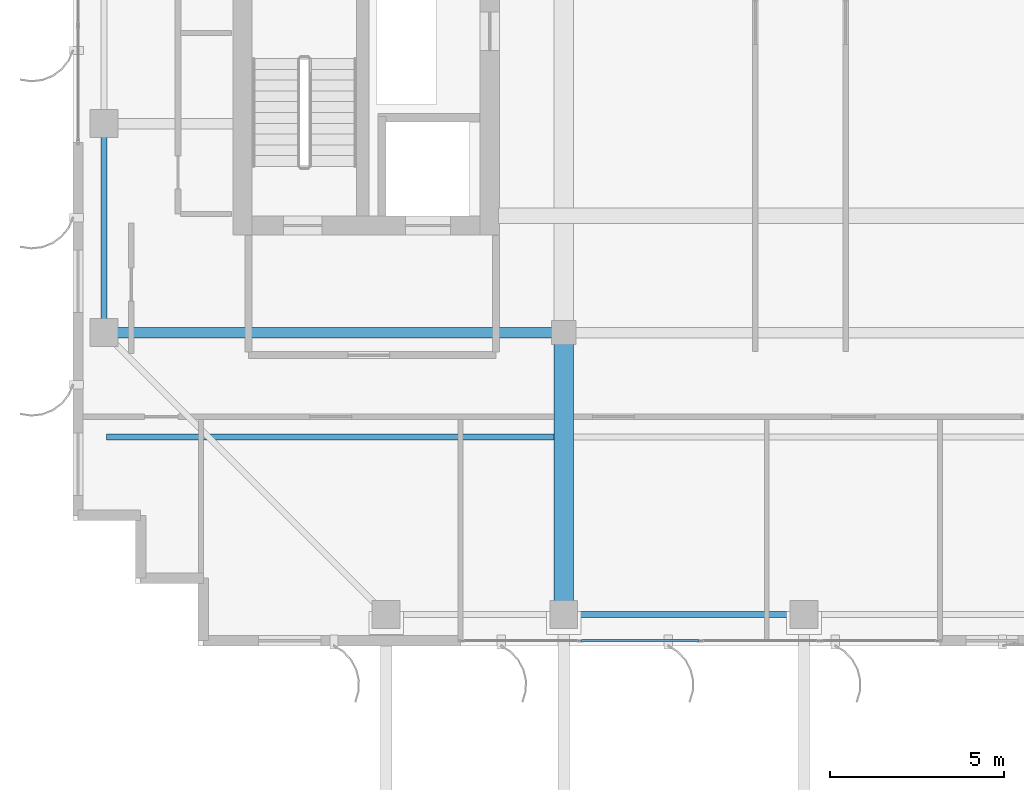
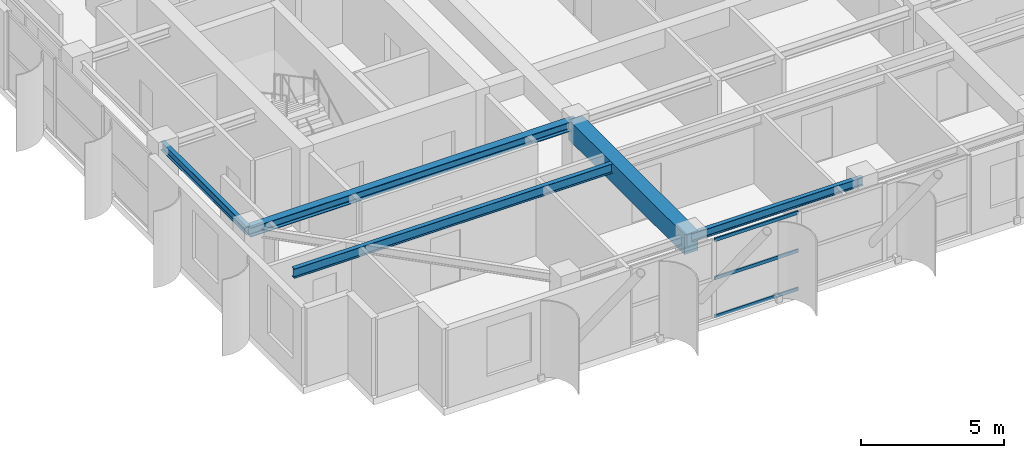
# One storey, part 3 of 22: 5 beams, 3 members, 1 element without a shape of its own.
"""IFC4 building model written with IfcOpenShell, lengths in metres."""

from ifc_helpers import new_model, si_unit, direction, frame, origin, origin_2d, place, context, subcontext, project, spatial, rectangle, hollow_rectangle, i_section, extrude, source, transform, mapped, material, layer, layer_set, material_profile, profile_set, type_object, element, aggregate, save


model = new_model("IFC4")

# Units and contexts
model_context = context("Model", 3, precision=1e-05, world=origin(), true_north=direction((0.0, 1.0)))
body_context = subcontext(model_context, "Body", "Model", "MODEL_VIEW")
ifc_project = project(units=[si_unit("LENGTHUNIT", "METRE"), si_unit("AREAUNIT", "SQUARE_METRE"), si_unit("VOLUMEUNIT", "CUBIC_METRE"), si_unit("PLANEANGLEUNIT", "RADIAN"), si_unit("MASSUNIT", "GRAM", prefix="KILO")], contexts=[model_context])

# Site, building, storey
site_placement = place(None, origin())
site = spatial("IfcSite", under=ifc_project, at=site_placement, CompositionType="ELEMENT")
building_placement = place(site_placement, origin())
building = spatial("IfcBuilding", under=site, at=building_placement, Name="Khoralis Quay Care Tower", CompositionType="ELEMENT")
storey_placement = place(building_placement, frame((0.0, 0.0, 278.10009765625)))
storey = spatial("IfcBuildingStorey", under=building, at=storey_placement, Name="L73", CompositionType="ELEMENT", Elevation=278.10009765625)

# Beams
ifc_material_1 = material(Name="Steel S355", Category="steel")
ifc_material_profile_1 = material_profile(ifc_material_1, i_section(OverallWidth=0.169921875, OverallDepth=0.360107421875, WebThickness=0.008056640625, FlangeThickness=0.0126953125, FilletRadius=0.01806640625, at=origin_2d()), Name="Steel S355")
ifc_profile_set_1 = profile_set([ifc_material_profile_1], Name="Steel S355")
beam_type_1 = type_object("IfcBeamType", Name="BM-IPE360", PredefinedType="SPANDREL", material=ifc_profile_set_1)
shared_shape_1 = source(origin(), body_context, "Body", "SweptSolid", [
    extrude(i_section(OverallWidth=0.169921875, OverallDepth=0.360107421875, WebThickness=0.008056640625, FlangeThickness=0.0126953125, FilletRadius=0.01806640625, at=origin_2d()), origin(), (0.0, 0.0, 1.0), 6.0),
])
beam_1_placement = place(storey_placement, frame((3.89990234375, 12.0, 3.139892578125), z_axis=(0.0, 1.0, 0.0), x_axis=(-1.0, 0.0, 0.0)))
element("IfcBeam", 1, at=beam_1_placement, inside=storey, type_object=beam_type_1, Name="BM-TSP-L73-09", PredefinedType="SPANDREL", context=body_context, shape_type="MappedRepresentation", body=[
    mapped(shared_shape_1, transform((0.0, 0.0, 0.0), scale=1.0)),
])
ifc_material_profile_2 = material_profile(ifc_material_1, i_section(OverallWidth=0.300048828125, OverallDepth=0.39990234375, WebThickness=0.013427734375, FlangeThickness=0.02392578125, FilletRadius=0.027099609375, at=origin_2d()), Name="Steel S355")
ifc_profile_set_2 = profile_set([ifc_material_profile_2], Name="Steel S355")
beam_type_2 = type_object("IfcBeamType", Name="BM-HEB400", PredefinedType="BEAM", material=ifc_profile_set_2)
shared_shape_2 = source(origin(), body_context, "Body", "SweptSolid", [
    extrude(i_section(OverallWidth=0.300048828125, OverallDepth=0.39990234375, WebThickness=0.013427734375, FlangeThickness=0.02392578125, FilletRadius=0.027099609375, at=origin_2d()), origin(), (0.0, 0.0, 1.0), 13.2001953125),
])
beam_2_placement = place(storey_placement, frame((3.89990234375, 12.0, 3.119873046875), z_axis=(1.0, 0.0, 0.0), x_axis=(0.0, 1.0, 0.0)))
element("IfcBeam", 2, at=beam_2_placement, inside=storey, type_object=beam_type_2, Name="BM-TGXW-L73-120", PredefinedType="BEAM", context=body_context, shape_type="MappedRepresentation", body=[
    mapped(shared_shape_2, transform((0.0, 0.0, 0.0), scale=1.0)),
])
ifc_material_2 = material(Name="Concrete C50/60", Category="concrete")
ifc_material_profile_3 = material_profile(ifc_material_2, rectangle(XDim=0.550048828125, YDim=0.85009765625, at=origin_2d()), Name="Concrete C50/60")
ifc_profile_set_3 = profile_set([ifc_material_profile_3], Name="Concrete C50/60")
beam_type_3 = type_object("IfcBeamType", Name="BM-RC550X850", PredefinedType="BEAM", material=ifc_profile_set_3)
shared_shape_3 = source(origin(), body_context, "Body", "SweptSolid", [
    extrude(rectangle(XDim=0.550048828125, YDim=0.85009765625, at=origin_2d()), origin(), (0.0, 0.0, 1.0), 8.10009765625),
])
beam_3_placement = place(storey_placement, frame((17.10009765625, 3.89990234375, 2.89501953125), z_axis=(0.0, 1.0, 0.0), x_axis=(-1.0, 0.0, 0.0)))
element("IfcBeam", 3, at=beam_3_placement, inside=storey, type_object=beam_type_3, Name="BM-TGYS-L73-171", PredefinedType="BEAM", context=body_context, shape_type="MappedRepresentation", body=[
    mapped(shared_shape_3, transform((0.0, 0.0, 0.0), scale=1.0)),
])
ifc_material_profile_4 = material_profile(ifc_material_1, i_section(OverallWidth=0.177978515625, OverallDepth=0.406982421875, WebThickness=0.0078125, FlangeThickness=0.0126953125, FilletRadius=0.012939453125, at=origin_2d()), Name="Steel S355")
ifc_profile_set_4 = profile_set([ifc_material_profile_4], Name="Steel S355")
beam_type_4 = type_object("IfcBeamType", Name="BM-W410X60", PredefinedType="JOIST", material=ifc_profile_set_4)
shared_shape_4 = source(origin(), body_context, "Body", "SweptSolid", [
    extrude(i_section(OverallWidth=0.177978515625, OverallDepth=0.406982421875, WebThickness=0.0078125, FlangeThickness=0.0126953125, FilletRadius=0.012939453125, at=origin_2d()), origin(), (0.0, 0.0, 1.0), 12.865966796875),
])
beam_4_placement = place(storey_placement, frame((3.970947265625, 9.0, 3.116455078125), z_axis=(1.0, 0.0, 0.0), x_axis=(0.0, 1.0, 0.0)))
element("IfcBeam", 4, at=beam_4_placement, inside=storey, type_object=beam_type_4, Name="BM-TJS-L73-21", PredefinedType="JOIST", context=body_context, shape_type="MappedRepresentation", body=[
    mapped(shared_shape_4, transform((0.0, 0.0, 0.0), scale=1.0)),
])
shared_shape_5 = source(origin(), body_context, "Body", "SweptSolid", [
    extrude(i_section(OverallWidth=0.169921875, OverallDepth=0.360107421875, WebThickness=0.008056640625, FlangeThickness=0.0126953125, FilletRadius=0.01806640625, at=origin_2d()), origin(), (0.0, 0.0, 1.0), 6.89990234375),
])
beam_5_placement = place(storey_placement, frame((17.10009765625, 3.89990234375, 3.139892578125), z_axis=(1.0, 0.0, 0.0), x_axis=(0.0, 1.0, 0.0)))
element("IfcBeam", 5, at=beam_5_placement, inside=storey, type_object=beam_type_1, Name="BM-TSP-L73-02", PredefinedType="SPANDREL", context=body_context, shape_type="MappedRepresentation", body=[
    mapped(shared_shape_5, transform((0.0, 0.0, 0.0), scale=1.0)),
])

# Curtain wall, members
ifc_material_3 = material(Name="Pale anodised aluminium", Category="aluminium")
ifc_layer = layer(ifc_material_3, 0.159912109375)
ifc_layer_set = layer_set([ifc_layer], Name="Pale anodised aluminium")
curtain_wall_type = type_object("IfcCurtainWallType", Name="CW-SYS-Z3", PredefinedType="NOTDEFINED", material=ifc_layer_set)
curtain_wall_placement = place(storey_placement, origin())
curtain_wall = element("IfcCurtainWall", 6, at=curtain_wall_placement, inside=storey, type_object=curtain_wall_type, Name="L73 Unitised Curtain Wall CW-L73-P1-E0", PredefinedType="NOTDEFINED")
ifc_material_profile_5 = material_profile(ifc_material_3, hollow_rectangle(XDim=0.06005859375, YDim=0.139892578125, WallThickness=0.00390625, at=origin_2d()), Name="Pale anodised aluminium")
ifc_profile_set_5 = profile_set([ifc_material_profile_5], Name="Pale anodised aluminium")
member_type = type_object("IfcMemberType", Name="CW-TRN-140", PredefinedType="USERDEFINED", material=ifc_profile_set_5)
shared_shape_6 = source(origin(), body_context, "Body", "SweptSolid", [
    extrude(hollow_rectangle(XDim=0.06005859375, YDim=0.139892578125, WallThickness=0.00390625, at=origin_2d()), origin(), (0.0, 0.0, 1.0), 3.382568359375),
])
member_1_placement = place(storey_placement, frame((17.6025390625, 3.14990234375, 0.02978515625), z_axis=(1.0, 0.0, 0.0), x_axis=(0.0, 1.0, 0.0)))
member_1 = element("IfcMember", 7, at=member_1_placement, type_object=member_type, Name="CW3 transom 2.1", ObjectType="TRANSOM", PredefinedType="USERDEFINED", context=body_context, shape_type="MappedRepresentation", body=[
    mapped(shared_shape_6, transform((0.0, 0.0, 0.0), scale=1.0)),
])
member_2_placement = place(storey_placement, frame((17.6025390625, 3.14990234375, 1.659912109375), z_axis=(1.0, 0.0, 0.0), x_axis=(0.0, 1.0, 0.0)))
member_2 = element("IfcMember", 8, at=member_2_placement, type_object=member_type, Name="CW3 transom 2.2", ObjectType="TRANSOM", PredefinedType="USERDEFINED", context=body_context, shape_type="MappedRepresentation", body=[
    mapped(shared_shape_6, transform((0.0, 0.0, 0.0), scale=1.0)),
])
member_3_placement = place(storey_placement, frame((17.6025390625, 3.14990234375, 3.289794921875), z_axis=(1.0, 0.0, 0.0), x_axis=(0.0, 1.0, 0.0)))
member_3 = element("IfcMember", 9, at=member_3_placement, type_object=member_type, Name="CW3 transom 2.3", ObjectType="TRANSOM", PredefinedType="USERDEFINED", context=body_context, shape_type="MappedRepresentation", body=[
    mapped(shared_shape_6, transform((0.0, 0.0, 0.0), scale=1.0)),
])
aggregate(curtain_wall, [member_1, member_2, member_3])

save(model, "model.ifc")
